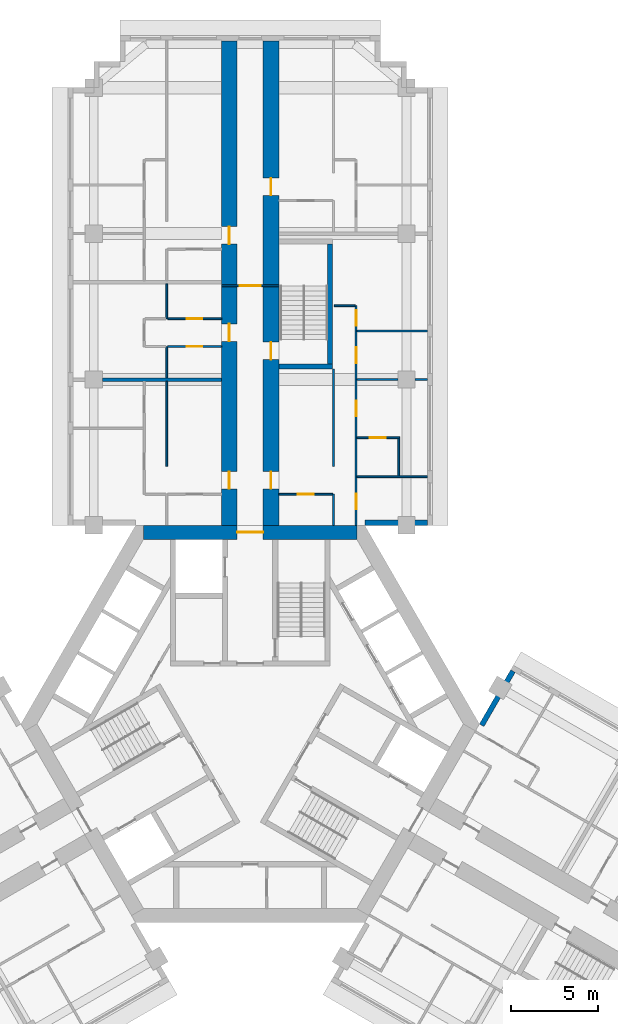
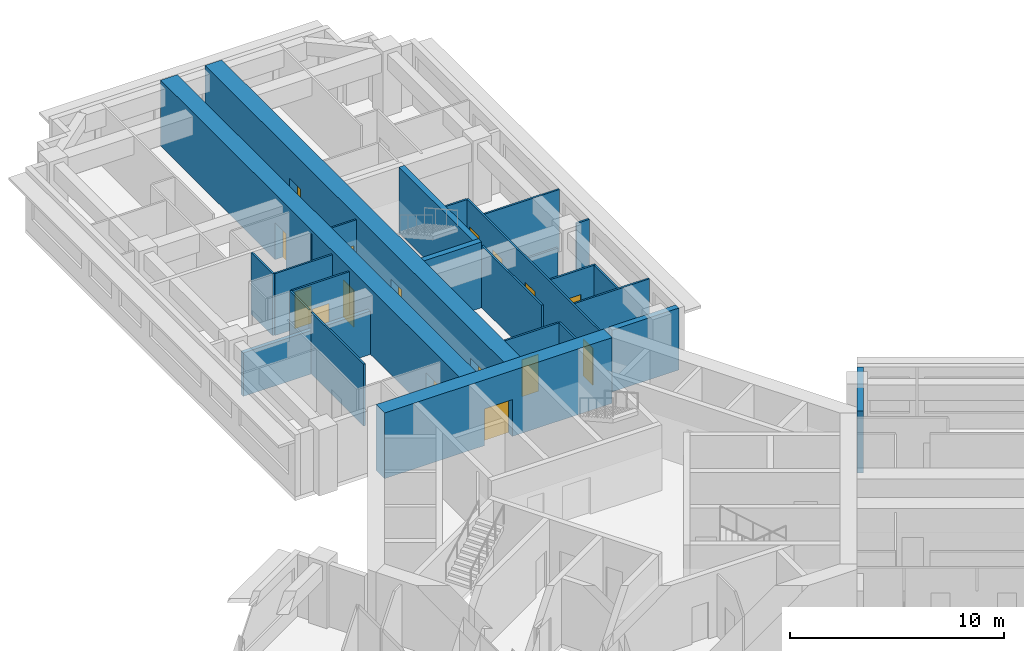
# One storey, part 9 of 14: 25 walls, 16 doors, 16 openings.
"""IFC4 building model written with IfcOpenShell, lengths in metres."""

from ifc_helpers import new_model, si_unit, direction, frame, frame_2d, origin, place, context, subcontext, project, spatial, rectangle, extrude, material, layer, layer_set, type_object, element, fill, save


model = new_model("IFC4")

# Units and contexts
model_context = context("Model", 3, precision=1e-05, world=origin(), true_north=direction((0.0, 1.0)))
body_context = subcontext(model_context, "Body", "Model", "MODEL_VIEW")
ifc_project = project(units=[si_unit("LENGTHUNIT", "METRE"), si_unit("AREAUNIT", "SQUARE_METRE"), si_unit("VOLUMEUNIT", "CUBIC_METRE"), si_unit("PLANEANGLEUNIT", "RADIAN"), si_unit("MASSUNIT", "GRAM", prefix="KILO")], contexts=[model_context])

# Site, building, storey
site_placement = place(None, origin())
site = spatial("IfcSite", under=ifc_project, at=site_placement, CompositionType="ELEMENT")
building_placement = place(site_placement, origin())
building = spatial("IfcBuilding", under=site, at=building_placement, Name="Impinga Residences", CompositionType="ELEMENT")
storey_placement = place(building_placement, frame((0.0, 0.0, 143.5)))
storey = spatial("IfcBuildingStorey", under=building, at=storey_placement, Name="L35", CompositionType="ELEMENT", Elevation=143.5)

# Wall, openings, doors
ifc_material_1 = material(Name="Concrete C60/75", Category="concrete")
ifc_layer_1 = layer(ifc_material_1, 0.89990234375)
ifc_layer_set_1 = layer_set([ifc_layer_1], Name="Concrete C60/75")
wall_type_1 = type_object("IfcWallType", Name="BW2 corridor buttress wall, L24 to L44 900", PredefinedType="SHEAR", material=ifc_layer_set_1)
wall_1_placement = place(storey_placement, frame((-1.199951171875, 11.031494140625, 0.0), z_axis=(0.0, 0.0, 1.0), x_axis=(0.0, 1.0, 0.0)))
wall_1 = element("IfcWall", 1, at=wall_1_placement, inside=storey, type_object=wall_type_1, Name="Corridor wall BW2 NC L35", PredefinedType="SHEAR", context=body_context, shape_type="SweptSolid", body=[
    extrude(rectangle(XDim=28.300048828125, YDim=0.89990234375, at=frame_2d((14.14990234375, 0.0))), origin(), (0.0, 0.0, 1.0), 3.75),
])
opening_1_placement = place(wall_1_placement, frame((2.5, 0.0, 0.0)))
opening_1 = element("IfcOpeningElement", 2, at=opening_1_placement, cuts=wall_1, Name="Opening D1", PredefinedType="OPENING", context=body_context, shape_type="SweptSolid", body=[
    extrude(rectangle(XDim=1.0, YDim=2.10009765625, at=frame_2d((0.5, 1.050048828125))), frame((0.0, 0.4599609375, 0.0), z_axis=(0.0, -1.0, 0.0), x_axis=(1.0, 0.0, 0.0)), (0.0, 0.0, 1.0), 0.919921875),
])
opening_2_placement = place(wall_1_placement, frame((11.0, 0.0, 0.0)))
opening_2 = element("IfcOpeningElement", 3, at=opening_2_placement, cuts=wall_1, Name="Opening D1", PredefinedType="OPENING", context=body_context, shape_type="SweptSolid", body=[
    extrude(rectangle(XDim=1.0, YDim=2.10009765625, at=frame_2d((0.5, 1.050048828125))), frame((0.0, 0.4599609375, 0.0), z_axis=(0.0, -1.0, 0.0), x_axis=(1.0, 0.0, 0.0)), (0.0, 0.0, 1.0), 0.919921875),
])
opening_3_placement = place(wall_1_placement, frame((16.60009765625, 0.0, 0.0)))
opening_3 = element("IfcOpeningElement", 4, at=opening_3_placement, cuts=wall_1, Name="Opening D1", PredefinedType="OPENING", context=body_context, shape_type="SweptSolid", body=[
    extrude(rectangle(XDim=1.0, YDim=2.10009765625, at=frame_2d((0.5, 1.050048828125))), frame((0.0, 0.4599609375, 0.0), z_axis=(0.0, -1.0, 0.0), x_axis=(1.0, 0.0, 0.0)), (0.0, 0.0, 1.0), 0.919921875),
])
ifc_material_2 = material(Name="Timber door set", Category="wood")
door_type_1 = type_object("IfcDoorType", Name="D1 apartment entrance door 1000x2100", OperationType="SINGLE_SWING_LEFT", PredefinedType="DOOR", material=ifc_material_2)
door_1_placement = place(opening_1_placement, origin())
door_1 = element("IfcDoor", 5, at=door_1_placement, inside=storey, type_object=door_type_1, Name="Apartment L35-NA1 entrance", OperationType="SINGLE_SWING_LEFT", OverallHeight=2.10009765625, OverallWidth=1.0, PredefinedType="DOOR", context=body_context, shape_type="SweptSolid", body=[
    extrude(rectangle(XDim=1.0, YDim=2.10009765625, at=frame_2d((0.5, 1.050048828125))), frame((0.0, 0.02490234375, 0.0), z_axis=(0.0, -1.0, 0.0), x_axis=(1.0, 0.0, 0.0)), (0.0, 0.0, 1.0), 0.050048828125),
])
fill(opening_1, door_1)
door_2_placement = place(opening_2_placement, origin())
door_2 = element("IfcDoor", 6, at=door_2_placement, inside=storey, type_object=door_type_1, Name="Apartment L35-NA2 entrance", OperationType="SINGLE_SWING_LEFT", OverallHeight=2.10009765625, OverallWidth=1.0, PredefinedType="DOOR", context=body_context, shape_type="SweptSolid", body=[
    extrude(rectangle(XDim=1.0, YDim=2.10009765625, at=frame_2d((0.5, 1.050048828125))), frame((0.0, 0.02490234375, 0.0), z_axis=(0.0, -1.0, 0.0), x_axis=(1.0, 0.0, 0.0)), (0.0, 0.0, 1.0), 0.050048828125),
])
fill(opening_2, door_2)
door_3_placement = place(opening_3_placement, origin())
door_3 = element("IfcDoor", 7, at=door_3_placement, inside=storey, type_object=door_type_1, Name="Apartment L35-NA3 entrance", OperationType="SINGLE_SWING_RIGHT", OverallHeight=2.10009765625, OverallWidth=1.0, PredefinedType="DOOR", context=body_context, shape_type="SweptSolid", body=[
    extrude(rectangle(XDim=1.0, YDim=2.10009765625, at=frame_2d((0.5, 1.050048828125))), frame((0.0, 0.02490234375, 0.0), z_axis=(0.0, -1.0, 0.0), x_axis=(1.0, 0.0, 0.0)), (0.0, 0.0, 1.0), 0.050048828125),
])
fill(opening_3, door_3)

wall_2_placement = place(storey_placement, frame((1.199951171875, 11.031494140625, 0.0), z_axis=(0.0, 0.0, 1.0), x_axis=(0.0, 1.0, 0.0)))
wall_2 = element("IfcWall", 8, at=wall_2_placement, inside=storey, type_object=wall_type_1, Name="Corridor wall BW2 ND L35", PredefinedType="SHEAR", context=body_context, shape_type="SweptSolid", body=[
    extrude(rectangle(XDim=28.300048828125, YDim=0.89990234375, at=frame_2d((14.14990234375, 0.0))), origin(), (0.0, 0.0, 1.0), 3.75),
])
opening_4_placement = place(wall_2_placement, frame((9.949951171875, 0.0, 0.0)))
opening_4 = element("IfcOpeningElement", 9, at=opening_4_placement, cuts=wall_2, Name="Opening D5", PredefinedType="OPENING", context=body_context, shape_type="SweptSolid", body=[
    extrude(rectangle(XDim=1.0, YDim=2.10009765625, at=frame_2d((0.5, 1.050048828125))), frame((0.0, 0.4599609375, 0.0), z_axis=(0.0, -1.0, 0.0), x_axis=(1.0, 0.0, 0.0)), (0.0, 0.0, 1.0), 0.919921875),
])
opening_5_placement = place(wall_2_placement, frame((2.5, 0.0, 0.0)))
opening_5 = element("IfcOpeningElement", 10, at=opening_5_placement, cuts=wall_2, Name="Opening D1", PredefinedType="OPENING", context=body_context, shape_type="SweptSolid", body=[
    extrude(rectangle(XDim=1.0, YDim=2.10009765625, at=frame_2d((0.5, 1.050048828125))), frame((0.0, 0.4599609375, 0.0), z_axis=(0.0, -1.0, 0.0), x_axis=(1.0, 0.0, 0.0)), (0.0, 0.0, 1.0), 0.919921875),
])
opening_6_placement = place(wall_2_placement, frame((19.39990234375, 0.0, 0.0)))
opening_6 = element("IfcOpeningElement", 11, at=opening_6_placement, cuts=wall_2, Name="Opening D1", PredefinedType="OPENING", context=body_context, shape_type="SweptSolid", body=[
    extrude(rectangle(XDim=1.0, YDim=2.10009765625, at=frame_2d((0.5, 1.050048828125))), frame((0.0, 0.4599609375, 0.0), z_axis=(0.0, -1.0, 0.0), x_axis=(1.0, 0.0, 0.0)), (0.0, 0.0, 1.0), 0.919921875),
])
door_4_placement = place(opening_5_placement, origin())
door_4 = element("IfcDoor", 12, at=door_4_placement, inside=storey, type_object=door_type_1, Name="Apartment L35-NF1 entrance", OperationType="SINGLE_SWING_LEFT", OverallHeight=2.10009765625, OverallWidth=1.0, PredefinedType="DOOR", context=body_context, shape_type="SweptSolid", body=[
    extrude(rectangle(XDim=1.0, YDim=2.10009765625, at=frame_2d((0.5, 1.050048828125))), frame((0.0, 0.02490234375, 0.0), z_axis=(0.0, -1.0, 0.0), x_axis=(1.0, 0.0, 0.0)), (0.0, 0.0, 1.0), 0.050048828125),
])
fill(opening_5, door_4)
door_5_placement = place(opening_6_placement, origin())
door_5 = element("IfcDoor", 13, at=door_5_placement, inside=storey, type_object=door_type_1, Name="Apartment L35-NF2 entrance", OperationType="SINGLE_SWING_RIGHT", OverallHeight=2.10009765625, OverallWidth=1.0, PredefinedType="DOOR", context=body_context, shape_type="SweptSolid", body=[
    extrude(rectangle(XDim=1.0, YDim=2.10009765625, at=frame_2d((0.5, 1.050048828125))), frame((0.0, 0.02490234375, 0.0), z_axis=(0.0, -1.0, 0.0), x_axis=(1.0, 0.0, 0.0)), (0.0, 0.0, 1.0), 0.050048828125),
])
fill(opening_6, door_5)
door_type_2 = type_object("IfcDoorType", Name="D5 stair door 1000x2100", OperationType="SINGLE_SWING_LEFT", PredefinedType="DOOR", material=ifc_material_2)
door_6_placement = place(opening_4_placement, origin())
door_6 = element("IfcDoor", 14, at=door_6_placement, inside=storey, type_object=door_type_2, Name="Wing stair door N", OperationType="SINGLE_SWING_LEFT", OverallHeight=2.10009765625, OverallWidth=1.0, PredefinedType="DOOR", context=body_context, shape_type="SweptSolid", body=[
    extrude(rectangle(XDim=1.0, YDim=2.10009765625, at=frame_2d((0.5, 1.050048828125))), frame((0.0, 0.02490234375, 0.0), z_axis=(0.0, -1.0, 0.0), x_axis=(1.0, 0.0, 0.0)), (0.0, 0.0, 1.0), 0.050048828125),
])
fill(opening_4, door_6)

# Wall, opening, door
ifc_material_3 = material(Name="Concrete blockwork", Category="masonry")
ifc_layer_2 = layer(ifc_material_3, 0.10009765625)
ifc_layer_set_2 = layer_set([ifc_layer_2], Name="CP1 core room partition, blockwork 100")
wall_type_2 = type_object("IfcWallType", Name="CP1 core room partition, blockwork 100", PredefinedType="PARTITIONING", material=ifc_layer_set_2)
wall_3_placement = place(storey_placement, frame((-1.64990234375, 25.2314453125, 0.0), z_axis=(0.0, 0.0, 1.0), x_axis=(1.0, 0.0, 0.0)))
wall_3 = element("IfcWall", 15, at=wall_3_placement, inside=storey, type_object=wall_type_2, Name="Core room partition, blockwork L35:N:PLB", PredefinedType="PARTITIONING", context=body_context, shape_type="SweptSolid", body=[
    extrude(rectangle(XDim=3.2998046875, YDim=0.10009765625, at=frame_2d((1.64990234375, 0.0))), origin(), (0.0, 0.0, 1.0), 3.530029296875),
])
opening_7_placement = place(wall_3_placement, frame((1.050048828125, 0.0, 0.0)))
opening_7 = element("IfcOpeningElement", 16, at=opening_7_placement, cuts=wall_3, Name="Opening D3", PredefinedType="OPENING", context=body_context, shape_type="SweptSolid", body=[
    extrude(rectangle(XDim=1.199951171875, YDim=2.10009765625, at=frame_2d((0.60009765625, 1.050048828125))), frame((0.0, 0.06005859375, 0.0), z_axis=(0.0, -1.0, 0.0), x_axis=(1.0, 0.0, 0.0)), (0.0, 0.0, 1.0), 0.1201171875),
])
door_type_3 = type_object("IfcDoorType", Name="D3 room door, leaf and a half 1200x2100", OperationType="DOUBLE_SWING_LEFT", PredefinedType="DOOR", material=ifc_material_2)
door_7_placement = place(opening_7_placement, origin())
door_7 = element("IfcDoor", 17, at=door_7_placement, inside=storey, type_object=door_type_3, Name="Private lobby door N", OperationType="DOUBLE_SWING_LEFT", OverallHeight=2.10009765625, OverallWidth=1.199951171875, PredefinedType="DOOR", context=body_context, shape_type="SweptSolid", body=[
    extrude(rectangle(XDim=1.199951171875, YDim=2.10009765625, at=frame_2d((0.60009765625, 1.050048828125))), frame((0.0, 0.02490234375, 0.0), z_axis=(0.0, -1.0, 0.0), x_axis=(1.0, 0.0, 0.0)), (0.0, 0.0, 1.0), 0.050048828125),
])
fill(opening_7, door_7)

# Walls
ifc_material_4 = material(Name="Terracotta rainscreen on blockwork", Category="masonry")
ifc_layer_3 = layer(ifc_material_4, 0.300048828125)
ifc_layer_set_3 = layer_set([ifc_layer_3], Name="EW1 external wall, terracotta rainscreen on blockwork 300")
wall_type_3 = type_object("IfcWallType", Name="EW1 external wall, terracotta rainscreen on blockwork 300", PredefinedType="SOLIDWALL", material=ifc_layer_set_3)
wall_4_placement = place(storey_placement, frame((10.199951171875, 11.58154296875, 0.0), z_axis=(0.0, 0.0, 1.0), x_axis=(-1.0, 0.0, 0.0)))
element("IfcWall", 18, at=wall_4_placement, inside=storey, type_object=wall_type_3, Name="External wall EW1 L35", PredefinedType="SOLIDWALL", context=body_context, shape_type="SweptSolid", body=[
    extrude(rectangle(XDim=3.599853515625, YDim=0.300048828125, at=frame_2d((1.7998046875, 0.0))), origin(), (0.0, 0.0, 1.0), 3.530029296875),
])
wall_5_placement = place(storey_placement, frame((13.329833984375, -0.074951171875, 0.0), z_axis=(0.0, 0.0, 1.0), x_axis=(0.500012057535, 0.866018442252, 0.0)))
element("IfcWall", 19, at=wall_5_placement, inside=storey, type_object=wall_type_3, Name="External wall EW1 L35", PredefinedType="SOLIDWALL", context=body_context, shape_type="SweptSolid", body=[
    extrude(rectangle(XDim=3.60009765625, YDim=0.300048828125, at=frame_2d((1.800048828125, 0.0))), origin(), (0.0, 0.0, 1.0), 3.530029296875),
])
ifc_material_5 = material(Name="Gypsum board on steel studs", Category="steel")
ifc_layer_4 = layer(ifc_material_5, 0.10009765625)
ifc_layer_set_4 = layer_set([ifc_layer_4], Name="Gypsum board on steel studs")
wall_type_4 = type_object("IfcWallType", Name="IP1 partition 100", PredefinedType="PARTITIONING", material=ifc_layer_set_4)
wall_6_placement = place(storey_placement, frame((-4.800048828125, 14.83154296875, 0.0), z_axis=(0.0, 0.0, 1.0), x_axis=(0.0, 1.0, 0.0)))
element("IfcWall", 20, at=wall_6_placement, inside=storey, type_object=wall_type_4, Name="Partition L35-NA1:DIV1", PredefinedType="PARTITIONING", context=body_context, shape_type="SweptSolid", body=[
    extrude(rectangle(XDim=4.89990234375, YDim=0.10009765625, at=frame_2d((2.449951171875, 0.0))), origin(), (0.0, 0.0, 1.0), 3.530029296875),
])
wall_7_placement = place(storey_placement, frame((-4.800048828125, 19.931640625, 0.0), z_axis=(0.0, 0.0, 1.0), x_axis=(0.0, 1.0, 0.0)))
element("IfcWall", 21, at=wall_7_placement, inside=storey, type_object=wall_type_4, Name="Partition L35-NA2:DIV0", PredefinedType="PARTITIONING", context=body_context, shape_type="SweptSolid", body=[
    extrude(rectangle(XDim=1.7998046875, YDim=0.10009765625, at=frame_2d((0.89990234375, 0.0))), origin(), (0.0, 0.0, 1.0), 3.530029296875),
])
wall_8_placement = place(storey_placement, frame((-4.800048828125, 23.33154296875, 0.0), z_axis=(0.0, 0.0, 1.0), x_axis=(0.0, 1.0, 0.0)))
element("IfcWall", 22, at=wall_8_placement, inside=storey, type_object=wall_type_4, Name="Partition L35-NA2:DIV1", PredefinedType="PARTITIONING", context=body_context, shape_type="SweptSolid", body=[
    extrude(rectangle(XDim=2.0, YDim=0.10009765625, at=frame_2d((1.0, 0.0))), origin(), (0.0, 0.0, 1.0), 3.530029296875),
])

# Wall, opening, door
wall_9_placement = place(storey_placement, frame((-1.64990234375, 21.7314453125, 0.0), z_axis=(0.0, 0.0, 1.0), x_axis=(-1.0, 0.0, 0.0)))
wall_9 = element("IfcWall", 23, at=wall_9_placement, inside=storey, type_object=wall_type_4, Name="Partition L35-NA2:IB1", PredefinedType="PARTITIONING", context=body_context, shape_type="SweptSolid", body=[
    extrude(rectangle(XDim=3.10009765625, YDim=0.10009765625, at=frame_2d((1.550048828125, 0.0))), origin(), (0.0, 0.0, 1.0), 3.530029296875),
])
opening_8_placement = place(wall_9_placement, frame((1.10009765625, 0.0, 0.0)))
opening_8 = element("IfcOpeningElement", 24, at=opening_8_placement, cuts=wall_9, Name="Opening D2", PredefinedType="OPENING", context=body_context, shape_type="SweptSolid", body=[
    extrude(rectangle(XDim=0.89990234375, YDim=2.10009765625, at=frame_2d((0.449951171875, 1.050048828125))), frame((0.0, 0.06005859375, 0.0), z_axis=(0.0, -1.0, 0.0), x_axis=(1.0, 0.0, 0.0)), (0.0, 0.0, 1.0), 0.1201171875),
])
door_type_4 = type_object("IfcDoorType", Name="D2 internal door 900x2100", OperationType="SINGLE_SWING_LEFT", PredefinedType="DOOR", material=ifc_material_2)
door_8_placement = place(opening_8_placement, origin())
door_8 = element("IfcDoor", 25, at=door_8_placement, inside=storey, type_object=door_type_4, Name="Apartment L35-NA2 bathroom door", OperationType="SINGLE_SWING_LEFT", OverallHeight=2.10009765625, OverallWidth=0.89990234375, PredefinedType="DOOR", context=body_context, shape_type="SweptSolid", body=[
    extrude(rectangle(XDim=0.89990234375, YDim=2.10009765625, at=frame_2d((0.449951171875, 1.050048828125))), frame((0.0, 0.02490234375, 0.0), z_axis=(0.0, -1.0, 0.0), x_axis=(1.0, 0.0, 0.0)), (0.0, 0.0, 1.0), 0.050048828125),
])
fill(opening_8, door_8)

wall_10_placement = place(storey_placement, frame((-1.64990234375, 23.33154296875, 0.0), z_axis=(0.0, 0.0, 1.0), x_axis=(-1.0, 0.0, 0.0)))
wall_10 = element("IfcWall", 26, at=wall_10_placement, inside=storey, type_object=wall_type_4, Name="Partition L35-NA2:IB2", PredefinedType="PARTITIONING", context=body_context, shape_type="SweptSolid", body=[
    extrude(rectangle(XDim=3.10009765625, YDim=0.10009765625, at=frame_2d((1.550048828125, 0.0))), origin(), (0.0, 0.0, 1.0), 3.530029296875),
])
opening_9_placement = place(wall_10_placement, frame((1.10009765625, 0.0, 0.0)))
opening_9 = element("IfcOpeningElement", 27, at=opening_9_placement, cuts=wall_10, Name="Opening D2", PredefinedType="OPENING", context=body_context, shape_type="SweptSolid", body=[
    extrude(rectangle(XDim=0.89990234375, YDim=2.10009765625, at=frame_2d((0.449951171875, 1.050048828125))), frame((0.0, 0.06005859375, 0.0), z_axis=(0.0, -1.0, 0.0), x_axis=(1.0, 0.0, 0.0)), (0.0, 0.0, 1.0), 0.1201171875),
])
door_9_placement = place(opening_9_placement, origin())
door_9 = element("IfcDoor", 28, at=door_9_placement, inside=storey, type_object=door_type_4, Name="Apartment L35-NA2 WC door", OperationType="SINGLE_SWING_LEFT", OverallHeight=2.10009765625, OverallWidth=0.89990234375, PredefinedType="DOOR", context=body_context, shape_type="SweptSolid", body=[
    extrude(rectangle(XDim=0.89990234375, YDim=2.10009765625, at=frame_2d((0.449951171875, 1.050048828125))), frame((0.0, 0.02490234375, 0.0), z_axis=(0.0, -1.0, 0.0), x_axis=(1.0, 0.0, 0.0)), (0.0, 0.0, 1.0), 0.050048828125),
])
fill(opening_9, door_9)

# Walls
wall_11_placement = place(storey_placement, frame((4.800048828125, 11.431640625, 0.0), z_axis=(0.0, 0.0, 1.0), x_axis=(0.0, 1.0, 0.0)))
element("IfcWall", 29, at=wall_11_placement, inside=storey, type_object=wall_type_4, Name="Partition L35-NF1:DIV0", PredefinedType="PARTITIONING", context=body_context, shape_type="SweptSolid", body=[
    extrude(rectangle(XDim=1.7998046875, YDim=0.10009765625, at=frame_2d((0.89990234375, 0.0))), origin(), (0.0, 0.0, 1.0), 3.530029296875),
])
wall_12_placement = place(storey_placement, frame((4.800048828125, 14.83154296875, 0.0), z_axis=(0.0, 0.0, 1.0), x_axis=(0.0, 1.0, 0.0)))
element("IfcWall", 30, at=wall_12_placement, inside=storey, type_object=wall_type_4, Name="Partition L35-NF1:DIV1", PredefinedType="PARTITIONING", context=body_context, shape_type="SweptSolid", body=[
    extrude(rectangle(XDim=5.60009765625, YDim=0.10009765625, at=frame_2d((2.800048828125, 0.0))), origin(), (0.0, 0.0, 1.0), 3.530029296875),
])

# Wall, openings, doors
wall_13_placement = place(storey_placement, frame((6.10009765625, 11.431640625, 0.0), z_axis=(0.0, 0.0, 1.0), x_axis=(0.0, 1.0, 0.0)))
wall_13 = element("IfcWall", 31, at=wall_13_placement, inside=storey, type_object=wall_type_4, Name="Partition L35-NF1:STRIP", PredefinedType="PARTITIONING", context=body_context, shape_type="SweptSolid", body=[
    extrude(rectangle(XDim=12.64990234375, YDim=0.10009765625, at=frame_2d((6.324951171875, 0.0))), origin(), (0.0, 0.0, 1.0), 3.530029296875),
])
opening_10_placement = place(wall_13_placement, frame((0.925048828125, 0.0, 0.0)))
opening_10 = element("IfcOpeningElement", 32, at=opening_10_placement, cuts=wall_13, Name="Opening D2", PredefinedType="OPENING", context=body_context, shape_type="SweptSolid", body=[
    extrude(rectangle(XDim=0.89990234375, YDim=2.10009765625, at=frame_2d((0.449951171875, 1.050048828125))), frame((0.0, 0.06005859375, 0.0), z_axis=(0.0, -1.0, 0.0), x_axis=(1.0, 0.0, 0.0)), (0.0, 0.0, 1.0), 0.1201171875),
])
opening_11_placement = place(wall_13_placement, frame((6.27490234375, 0.0, 0.0)))
opening_11 = element("IfcOpeningElement", 33, at=opening_11_placement, cuts=wall_13, Name="Opening D2", PredefinedType="OPENING", context=body_context, shape_type="SweptSolid", body=[
    extrude(rectangle(XDim=0.89990234375, YDim=2.10009765625, at=frame_2d((0.449951171875, 1.050048828125))), frame((0.0, 0.06005859375, 0.0), z_axis=(0.0, -1.0, 0.0), x_axis=(1.0, 0.0, 0.0)), (0.0, 0.0, 1.0), 0.1201171875),
])
opening_12_placement = place(wall_13_placement, frame((9.35009765625, 0.0, 0.0)))
opening_12 = element("IfcOpeningElement", 34, at=opening_12_placement, cuts=wall_13, Name="Opening D2", PredefinedType="OPENING", context=body_context, shape_type="SweptSolid", body=[
    extrude(rectangle(XDim=0.89990234375, YDim=2.10009765625, at=frame_2d((0.449951171875, 1.050048828125))), frame((0.0, 0.06005859375, 0.0), z_axis=(0.0, -1.0, 0.0), x_axis=(1.0, 0.0, 0.0)), (0.0, 0.0, 1.0), 0.1201171875),
])
opening_13_placement = place(wall_13_placement, frame((11.5, 0.0, 0.0)))
opening_13 = element("IfcOpeningElement", 35, at=opening_13_placement, cuts=wall_13, Name="Opening D2", PredefinedType="OPENING", context=body_context, shape_type="SweptSolid", body=[
    extrude(rectangle(XDim=0.89990234375, YDim=2.10009765625, at=frame_2d((0.449951171875, 1.050048828125))), frame((0.0, 0.06005859375, 0.0), z_axis=(0.0, -1.0, 0.0), x_axis=(1.0, 0.0, 0.0)), (0.0, 0.0, 1.0), 0.1201171875),
])
door_10_placement = place(opening_10_placement, origin())
door_10 = element("IfcDoor", 36, at=door_10_placement, inside=storey, type_object=door_type_4, Name="Apartment L35-NF1 room door", OperationType="SINGLE_SWING_LEFT", OverallHeight=2.10009765625, OverallWidth=0.89990234375, PredefinedType="DOOR", context=body_context, shape_type="SweptSolid", body=[
    extrude(rectangle(XDim=0.89990234375, YDim=2.10009765625, at=frame_2d((0.449951171875, 1.050048828125))), frame((0.0, 0.02490234375, 0.0), z_axis=(0.0, -1.0, 0.0), x_axis=(1.0, 0.0, 0.0)), (0.0, 0.0, 1.0), 0.050048828125),
])
fill(opening_10, door_10)
door_11_placement = place(opening_11_placement, origin())
door_11 = element("IfcDoor", 37, at=door_11_placement, inside=storey, type_object=door_type_4, Name="Apartment L35-NF1 room door", OperationType="SINGLE_SWING_RIGHT", OverallHeight=2.10009765625, OverallWidth=0.89990234375, PredefinedType="DOOR", context=body_context, shape_type="SweptSolid", body=[
    extrude(rectangle(XDim=0.89990234375, YDim=2.10009765625, at=frame_2d((0.449951171875, 1.050048828125))), frame((0.0, 0.02490234375, 0.0), z_axis=(0.0, -1.0, 0.0), x_axis=(1.0, 0.0, 0.0)), (0.0, 0.0, 1.0), 0.050048828125),
])
fill(opening_11, door_11)
door_12_placement = place(opening_12_placement, origin())
door_12 = element("IfcDoor", 38, at=door_12_placement, inside=storey, type_object=door_type_4, Name="Apartment L35-NF1 room door", OperationType="SINGLE_SWING_RIGHT", OverallHeight=2.10009765625, OverallWidth=0.89990234375, PredefinedType="DOOR", context=body_context, shape_type="SweptSolid", body=[
    extrude(rectangle(XDim=0.89990234375, YDim=2.10009765625, at=frame_2d((0.449951171875, 1.050048828125))), frame((0.0, 0.02490234375, 0.0), z_axis=(0.0, -1.0, 0.0), x_axis=(1.0, 0.0, 0.0)), (0.0, 0.0, 1.0), 0.050048828125),
])
fill(opening_12, door_12)
door_13_placement = place(opening_13_placement, origin())
door_13 = element("IfcDoor", 39, at=door_13_placement, inside=storey, type_object=door_type_4, Name="Apartment L35-NF1 room door", OperationType="SINGLE_SWING_RIGHT", OverallHeight=2.10009765625, OverallWidth=0.89990234375, PredefinedType="DOOR", context=body_context, shape_type="SweptSolid", body=[
    extrude(rectangle(XDim=0.89990234375, YDim=2.10009765625, at=frame_2d((0.449951171875, 1.050048828125))), frame((0.0, 0.02490234375, 0.0), z_axis=(0.0, -1.0, 0.0), x_axis=(1.0, 0.0, 0.0)), (0.0, 0.0, 1.0), 0.050048828125),
])
fill(opening_13, door_13)

# Wall
wall_14_placement = place(storey_placement, frame((4.85009765625, 24.08154296875, 0.0), z_axis=(0.0, 0.0, 1.0), x_axis=(1.0, 0.0, 0.0)))
element("IfcWall", 40, at=wall_14_placement, inside=storey, type_object=wall_type_4, Name="Partition L35-NF1:SE1", PredefinedType="PARTITIONING", context=body_context, shape_type="SweptSolid", body=[
    extrude(rectangle(XDim=1.199951171875, YDim=0.10009765625, at=frame_2d((0.60009765625, 0.0))), origin(), (0.0, 0.0, 1.0), 3.530029296875),
])

# Wall, opening, door
wall_15_placement = place(storey_placement, frame((1.64990234375, 13.2314453125, 0.0), z_axis=(0.0, 0.0, 1.0), x_axis=(1.0, 0.0, 0.0)))
wall_15 = element("IfcWall", 41, at=wall_15_placement, inside=storey, type_object=wall_type_4, Name="Partition L35-NF1:IB1", PredefinedType="PARTITIONING", context=body_context, shape_type="SweptSolid", body=[
    extrude(rectangle(XDim=3.10009765625, YDim=0.10009765625, at=frame_2d((1.550048828125, 0.0))), origin(), (0.0, 0.0, 1.0), 3.530029296875),
])
opening_14_placement = place(wall_15_placement, frame((1.10009765625, 0.0, 0.0)))
opening_14 = element("IfcOpeningElement", 42, at=opening_14_placement, cuts=wall_15, Name="Opening D2", PredefinedType="OPENING", context=body_context, shape_type="SweptSolid", body=[
    extrude(rectangle(XDim=0.89990234375, YDim=2.10009765625, at=frame_2d((0.449951171875, 1.050048828125))), frame((0.0, 0.06005859375, 0.0), z_axis=(0.0, -1.0, 0.0), x_axis=(1.0, 0.0, 0.0)), (0.0, 0.0, 1.0), 0.1201171875),
])
door_14_placement = place(opening_14_placement, origin())
door_14 = element("IfcDoor", 43, at=door_14_placement, inside=storey, type_object=door_type_4, Name="Apartment L35-NF1 bathroom door", OperationType="SINGLE_SWING_LEFT", OverallHeight=2.10009765625, OverallWidth=0.89990234375, PredefinedType="DOOR", context=body_context, shape_type="SweptSolid", body=[
    extrude(rectangle(XDim=0.89990234375, YDim=2.10009765625, at=frame_2d((0.449951171875, 1.050048828125))), frame((0.0, 0.02490234375, 0.0), z_axis=(0.0, -1.0, 0.0), x_axis=(1.0, 0.0, 0.0)), (0.0, 0.0, 1.0), 0.050048828125),
])
fill(opening_14, door_14)

# Walls
wall_16_placement = place(storey_placement, frame((6.14990234375, 14.2314453125, 0.0), z_axis=(0.0, 0.0, 1.0), x_axis=(1.0, 0.0, 0.0)))
element("IfcWall", 44, at=wall_16_placement, inside=storey, type_object=wall_type_4, Name="Partition L35-NF1:OB1", PredefinedType="PARTITIONING", context=body_context, shape_type="SweptSolid", body=[
    extrude(rectangle(XDim=4.050048828125, YDim=0.10009765625, at=frame_2d((2.02490234375, 0.0))), origin(), (0.0, 0.0, 1.0), 3.530029296875),
])
wall_17_placement = place(storey_placement, frame((6.14990234375, 19.83154296875, 0.0), z_axis=(0.0, 0.0, 1.0), x_axis=(1.0, 0.0, 0.0)))
element("IfcWall", 45, at=wall_17_placement, inside=storey, type_object=wall_type_4, Name="Partition L35-NF1:OB2", PredefinedType="PARTITIONING", context=body_context, shape_type="SweptSolid", body=[
    extrude(rectangle(XDim=2.35009765625, YDim=0.10009765625, at=frame_2d((1.175048828125, 0.0))), origin(), (0.0, 0.0, 1.0), 2.47998046875),
])
wall_18_placement = place(storey_placement, frame((9.5, 19.83154296875, 0.0), z_axis=(0.0, 0.0, 1.0), x_axis=(1.0, 0.0, 0.0)))
element("IfcWall", 46, at=wall_18_placement, inside=storey, type_object=wall_type_4, Name="Partition L35-NF1:OB2b", PredefinedType="PARTITIONING", context=body_context, shape_type="SweptSolid", body=[
    extrude(rectangle(XDim=0.699951171875, YDim=0.10009765625, at=frame_2d((0.35009765625, 0.0))), origin(), (0.0, 0.0, 1.0), 3.530029296875),
])
wall_19_placement = place(storey_placement, frame((6.14990234375, 22.631591796875, 0.0), z_axis=(0.0, 0.0, 1.0), x_axis=(1.0, 0.0, 0.0)))
element("IfcWall", 47, at=wall_19_placement, inside=storey, type_object=wall_type_4, Name="Partition L35-NF1:OB3", PredefinedType="PARTITIONING", context=body_context, shape_type="SweptSolid", body=[
    extrude(rectangle(XDim=4.050048828125, YDim=0.10009765625, at=frame_2d((2.02490234375, 0.0))), origin(), (0.0, 0.0, 1.0), 3.530029296875),
])

# Wall, opening, door
wall_20_placement = place(storey_placement, frame((6.14990234375, 16.4814453125, 0.0), z_axis=(0.0, 0.0, 1.0), x_axis=(1.0, 0.0, 0.0)))
wall_20 = element("IfcWall", 48, at=wall_20_placement, inside=storey, type_object=wall_type_4, Name="Partition L35-NF1:EN1", PredefinedType="PARTITIONING", context=body_context, shape_type="SweptSolid", body=[
    extrude(rectangle(XDim=2.4501953125, YDim=0.10009765625, at=frame_2d((1.22509765625, 0.0))), origin(), (0.0, 0.0, 1.0), 3.530029296875),
])
opening_15_placement = place(wall_20_placement, frame((0.75, 0.0, 0.0)))
opening_15 = element("IfcOpeningElement", 49, at=opening_15_placement, cuts=wall_20, Name="Opening D2", PredefinedType="OPENING", context=body_context, shape_type="SweptSolid", body=[
    extrude(rectangle(XDim=0.89990234375, YDim=2.10009765625, at=frame_2d((0.449951171875, 1.050048828125))), frame((0.0, 0.06005859375, 0.0), z_axis=(0.0, -1.0, 0.0), x_axis=(1.0, 0.0, 0.0)), (0.0, 0.0, 1.0), 0.1201171875),
])
door_15_placement = place(opening_15_placement, origin())
door_15 = element("IfcDoor", 50, at=door_15_placement, inside=storey, type_object=door_type_4, Name="Apartment L35-NF1 en-suite door", OperationType="SINGLE_SWING_LEFT", OverallHeight=2.10009765625, OverallWidth=0.89990234375, PredefinedType="DOOR", context=body_context, shape_type="SweptSolid", body=[
    extrude(rectangle(XDim=0.89990234375, YDim=2.10009765625, at=frame_2d((0.449951171875, 1.050048828125))), frame((0.0, 0.02490234375, 0.0), z_axis=(0.0, -1.0, 0.0), x_axis=(1.0, 0.0, 0.0)), (0.0, 0.0, 1.0), 0.050048828125),
])
fill(opening_15, door_15)

# Walls
wall_21_placement = place(storey_placement, frame((8.550048828125, 14.281494140625, 0.0), z_axis=(0.0, 0.0, 1.0), x_axis=(0.0, 1.0, 0.0)))
element("IfcWall", 51, at=wall_21_placement, inside=storey, type_object=wall_type_4, Name="Partition L35-NF1:EN2", PredefinedType="PARTITIONING", context=body_context, shape_type="SweptSolid", body=[
    extrude(rectangle(XDim=2.150146484375, YDim=0.10009765625, at=frame_2d((1.0751953125, 0.0))), origin(), (0.0, 0.0, 1.0), 3.530029296875),
])
ifc_layer_5 = layer(ifc_material_3, 0.199951171875)
ifc_layer_set_5 = layer_set([ifc_layer_5], Name="PW1 party wall between apartments 200")
wall_type_5 = type_object("IfcWallType", Name="PW1 party wall between apartments 200", PredefinedType="SOLIDWALL", material=ifc_layer_set_5)
wall_22_placement = place(storey_placement, frame((-1.64990234375, 19.83154296875, 0.0), z_axis=(0.0, 0.0, 1.0), x_axis=(-1.0, 0.0, 0.0)))
element("IfcWall", 52, at=wall_22_placement, inside=storey, type_object=wall_type_5, Name="Party wall between apartments L35-NA1:PARTY", PredefinedType="SOLIDWALL", context=body_context, shape_type="SweptSolid", body=[
    extrude(rectangle(XDim=6.85009765625, YDim=0.199951171875, at=frame_2d((3.425048828125, 0.0))), origin(), (0.0, 0.0, 1.0), 2.47998046875),
])
ifc_layer_6 = layer(ifc_material_1, 0.300048828125)
ifc_layer_set_6 = layer_set([ifc_layer_6], Name="Concrete C60/75")
wall_type_6 = type_object("IfcWallType", Name="SE1 wing stair enclosure wall 300", PredefinedType="SOLIDWALL", material=ifc_layer_set_6)
wall_23_placement = place(storey_placement, frame((1.64990234375, 20.58154296875, 0.0), z_axis=(0.0, 0.0, 1.0), x_axis=(1.0, 0.0, 0.0)))
element("IfcWall", 53, at=wall_23_placement, inside=storey, type_object=wall_type_6, Name="Stair enclosure wall SE1 N END0 L35", PredefinedType="SOLIDWALL", context=body_context, shape_type="SweptSolid", body=[
    extrude(rectangle(XDim=3.10009765625, YDim=0.300048828125, at=frame_2d((1.550048828125, 0.0))), origin(), (0.0, 0.0, 1.0), 3.75),
])
wall_24_placement = place(storey_placement, frame((4.60009765625, 20.7314453125, 0.0), z_axis=(0.0, 0.0, 1.0), x_axis=(0.0, 1.0, 0.0)))
element("IfcWall", 54, at=wall_24_placement, inside=storey, type_object=wall_type_6, Name="Stair enclosure wall SE1 N OUT L35", PredefinedType="SOLIDWALL", context=body_context, shape_type="SweptSolid", body=[
    extrude(rectangle(XDim=6.900146484375, YDim=0.300048828125, at=frame_2d((3.4501953125, 0.0))), origin(), (0.0, 0.0, 1.0), 3.75),
])

# Wall, opening, door
ifc_layer_7 = layer(ifc_material_1, 0.800048828125)
ifc_layer_set_7 = layer_set([ifc_layer_7], Name="Concrete C60/75")
wall_type_7 = type_object("IfcWallType", Name="SW2 core wall 800", PredefinedType="SHEAR", material=ifc_layer_set_7)
wall_25_placement = place(storey_placement, frame((-6.13818359375, 11.031494140625, 0.0), z_axis=(0.0, 0.0, 1.0), x_axis=(1.0, 0.0, 0.0)))
wall_25 = element("IfcWall", 55, at=wall_25_placement, inside=storey, type_object=wall_type_7, Name="Core wall SW2 N:FACE L35", PredefinedType="SHEAR", context=body_context, shape_type="SweptSolid", body=[
    extrude(rectangle(XDim=12.2763671875, YDim=0.800048828125, at=frame_2d((6.13818359375, 0.0))), origin(), (0.0, 0.0, 1.0), 3.75),
])
opening_16_placement = place(wall_25_placement, frame((5.38818359375, 0.0, 0.0)))
opening_16 = element("IfcOpeningElement", 56, at=opening_16_placement, cuts=wall_25, Name="Opening D4", PredefinedType="OPENING", context=body_context, shape_type="SweptSolid", body=[
    extrude(rectangle(XDim=1.5, YDim=2.10009765625, at=frame_2d((0.75, 1.050048828125))), frame((0.0, 0.409912109375, 0.0), z_axis=(0.0, -1.0, 0.0), x_axis=(1.0, 0.0, 0.0)), (0.0, 0.0, 1.0), 0.820068359375),
])
door_type_5 = type_object("IfcDoorType", Name="D4 lobby door pair 1500x2100", OperationType="DOUBLE_DOOR_DOUBLE_SWING", PredefinedType="DOOR", material=ifc_material_2)
door_16_placement = place(opening_16_placement, origin())
door_16 = element("IfcDoor", 57, at=door_16_placement, inside=storey, type_object=door_type_5, Name="Lobby door N", OperationType="DOUBLE_DOOR_DOUBLE_SWING", OverallHeight=2.10009765625, OverallWidth=1.5, PredefinedType="DOOR", context=body_context, shape_type="SweptSolid", body=[
    extrude(rectangle(XDim=1.5, YDim=2.10009765625, at=frame_2d((0.75, 1.050048828125))), frame((0.0, 0.02490234375, 0.0), z_axis=(0.0, -1.0, 0.0), x_axis=(1.0, 0.0, 0.0)), (0.0, 0.0, 1.0), 0.050048828125),
])
fill(opening_16, door_16)

save(model, "model.ifc")
